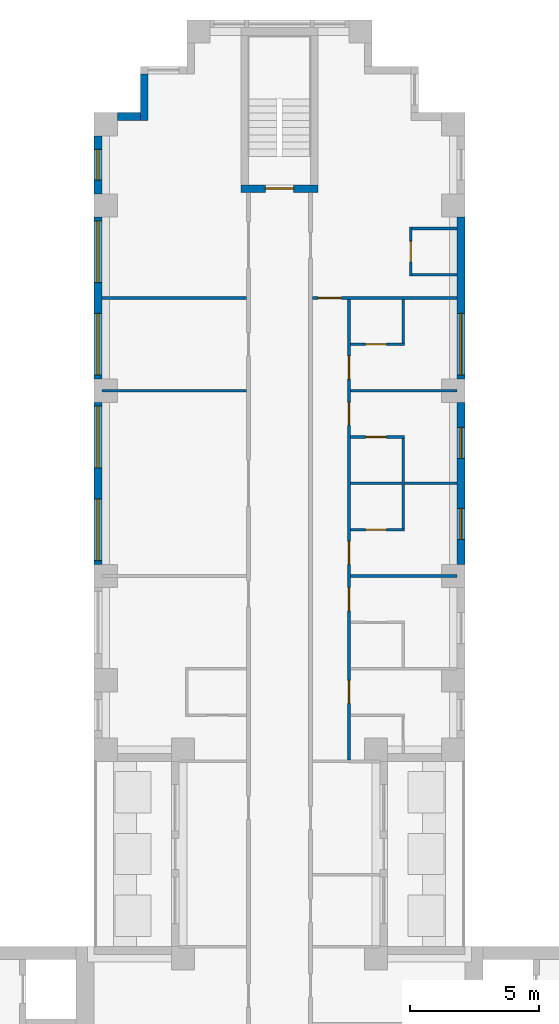
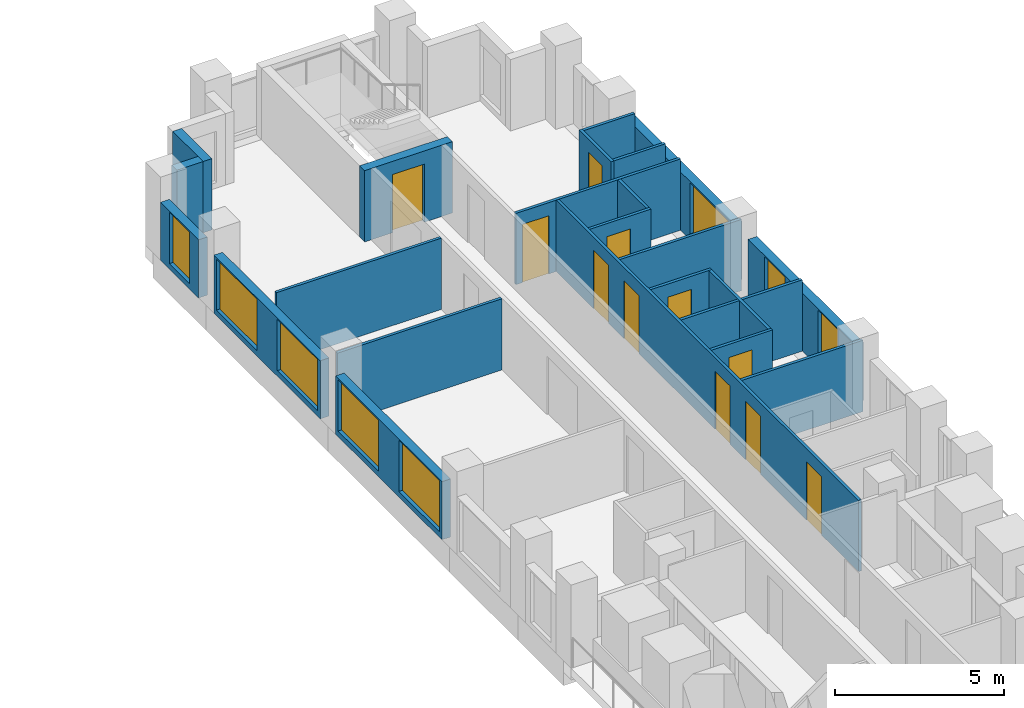
# One storey, part 11 of 15: 23 walls, 11 doors, 8 windows, 19 openings.
"""IFC4 building model written with IfcOpenShell, lengths in metres."""

from ifc_helpers import new_model, si_unit, direction, frame, frame_2d, origin, place, context, subcontext, project, spatial, rectangle, extrude, material, layer, layer_set, type_object, element, fill, save


model = new_model("IFC4")

# Units and contexts
model_context = context("Model", 3, precision=1e-05, world=origin(), true_north=direction((0.0, 1.0)))
body_context = subcontext(model_context, "Body", "Model", "MODEL_VIEW")
ifc_project = project(units=[si_unit("LENGTHUNIT", "METRE"), si_unit("AREAUNIT", "SQUARE_METRE"), si_unit("VOLUMEUNIT", "CUBIC_METRE"), si_unit("PLANEANGLEUNIT", "RADIAN"), si_unit("MASSUNIT", "GRAM", prefix="KILO")], contexts=[model_context])

# Site, building, storey
site_placement = place(None, origin())
site = spatial("IfcSite", under=ifc_project, at=site_placement, CompositionType="ELEMENT")
building_placement = place(site_placement, origin())
building = spatial("IfcBuilding", under=site, at=building_placement, Name="Fustian Cross Tower", CompositionType="ELEMENT")
storey_placement = place(building_placement, frame((0.0, 0.0, 38.699951171875)))
storey = spatial("IfcBuildingStorey", under=building, at=storey_placement, Name="L11", CompositionType="ELEMENT", Elevation=38.699951171875)

# Walls
ifc_material_1 = material(Name="Plasterboard on steel stud", Category="steel")
ifc_layer_1 = layer(ifc_material_1, 0.10009765625)
ifc_layer_set_1 = layer_set([ifc_layer_1], Name="Plasterboard on steel stud")
wall_type_1 = type_object("IfcWallType", Name="PARTITION 100 STUD", PredefinedType="PARTITIONING", material=ifc_layer_set_1)
for number, where, z_axis, x_axis, name in (
    (1, (-6.89990234375, 28.800048828125, 0.0), (0.0, 0.0, 1.0), (1.0, 0.0, 0.0), "Partition 20"),
    (2, (-6.89990234375, 32.39990234375, 0.0), (0.0, 0.0, 1.0), (1.0, 0.0, 0.0), "Partition 21"),
):
    element("IfcWall", number, at=place(storey_placement, frame(where, z_axis=z_axis, x_axis=x_axis)), inside=storey, type_object=wall_type_1, Name=name, PredefinedType="PARTITIONING", context=body_context, shape_type="SweptSolid", body=[
        extrude(rectangle(XDim=5.625, YDim=0.10009765625, at=frame_2d((2.8125, 0.0))), origin(), (0.0, 0.0, 1.0), 2.574951171875),
    ])

# Wall, opening, door
wall_1_placement = place(storey_placement, frame((1.27490234375, 32.39990234375, 0.0), z_axis=(0.0, 0.0, 1.0), x_axis=(1.0, 0.0, 0.0)))
wall_1 = element("IfcWall", 3, at=wall_1_placement, inside=storey, type_object=wall_type_1, Name="Partition 58", PredefinedType="PARTITIONING", context=body_context, shape_type="SweptSolid", body=[
    extrude(rectangle(XDim=5.625, YDim=0.10009765625, at=frame_2d((2.8125, 0.0))), origin(), (0.0, 0.0, 1.0), 2.574951171875),
])
opening_1_placement = place(wall_1_placement, frame((0.22509765625, 0.0, 0.0)))
opening_1 = element("IfcOpeningElement", 4, at=opening_1_placement, cuts=wall_1, Name="Opening D07030", PredefinedType="OPENING", context=body_context, shape_type="SweptSolid", body=[
    extrude(rectangle(XDim=0.89990234375, YDim=2.10009765625, at=frame_2d((0.449951171875, 1.050048828125))), frame((0.0, 0.06005859375, 0.0), z_axis=(0.0, -1.0, 0.0), x_axis=(1.0, 0.0, 0.0)), (0.0, 0.0, 1.0), 0.1201171875),
])
ifc_material_2 = material(Name="Painted timber", Category="wood")
door_type_1 = type_object("IfcDoorType", Name="SWING DOOR 900", OperationType="SINGLE_SWING_LEFT", PredefinedType="DOOR", material=ifc_material_2)
door_1_placement = place(opening_1_placement, frame((0.89990234375, 0.0, 0.0), z_axis=(0.0, 0.0, 1.0), x_axis=(-1.0, 0.0, 0.0)))
door_1 = element("IfcDoor", 5, at=door_1_placement, inside=storey, type_object=door_type_1, Name="Door D07030", OperationType="SINGLE_SWING_RIGHT", OverallHeight=2.10009765625, OverallWidth=0.89990234375, PredefinedType="DOOR", context=body_context, shape_type="SweptSolid", body=[
    extrude(rectangle(XDim=0.89990234375, YDim=2.10009765625, at=frame_2d((0.449951171875, 1.050048828125))), frame((0.0, 0.02490234375, 0.0), z_axis=(0.0, -1.0, 0.0), x_axis=(1.0, 0.0, 0.0)), (0.0, 0.0, 1.0), 0.050048828125),
])
fill(opening_1, door_1)

# Wall, openings, doors
wall_2_placement = place(storey_placement, frame((2.699951171875, 14.46240234375, 0.0), z_axis=(0.0, 0.0, 1.0), x_axis=(0.0, 1.0, 0.0)))
wall_2 = element("IfcWall", 6, at=wall_2_placement, inside=storey, type_object=wall_type_1, Name="Partition 59", PredefinedType="PARTITIONING", context=body_context, shape_type="SweptSolid", body=[
    extrude(rectangle(XDim=17.8876953125, YDim=0.10009765625, at=frame_2d((8.94384765625, 0.0))), origin(), (0.0, 0.0, 1.0), 2.574951171875),
])
opening_2_placement = place(wall_2_placement, frame((2.1875, 0.0, 0.0)))
opening_2 = element("IfcOpeningElement", 7, at=opening_2_placement, cuts=wall_2, Name="Opening D07031", PredefinedType="OPENING", context=body_context, shape_type="SweptSolid", body=[
    extrude(rectangle(XDim=0.89990234375, YDim=2.10009765625, at=frame_2d((0.449951171875, 1.050048828125))), frame((0.0, 0.06005859375, 0.0), z_axis=(0.0, -1.0, 0.0), x_axis=(1.0, 0.0, 0.0)), (0.0, 0.0, 1.0), 0.1201171875),
])
opening_3_placement = place(wall_2_placement, frame((5.78759765625, 0.0, 0.0)))
opening_3 = element("IfcOpeningElement", 8, at=opening_3_placement, cuts=wall_2, Name="Opening D07032", PredefinedType="OPENING", context=body_context, shape_type="SweptSolid", body=[
    extrude(rectangle(XDim=0.89990234375, YDim=2.10009765625, at=frame_2d((0.449951171875, 1.050048828125))), frame((0.0, 0.06005859375, 0.0), z_axis=(0.0, -1.0, 0.0), x_axis=(1.0, 0.0, 0.0)), (0.0, 0.0, 1.0), 0.1201171875),
])
opening_4_placement = place(wall_2_placement, frame((7.58740234375, 0.0, 0.0)))
opening_4 = element("IfcOpeningElement", 9, at=opening_4_placement, cuts=wall_2, Name="Opening D07033", PredefinedType="OPENING", context=body_context, shape_type="SweptSolid", body=[
    extrude(rectangle(XDim=0.89990234375, YDim=2.10009765625, at=frame_2d((0.449951171875, 1.050048828125))), frame((0.0, 0.06005859375, 0.0), z_axis=(0.0, -1.0, 0.0), x_axis=(1.0, 0.0, 0.0)), (0.0, 0.0, 1.0), 0.1201171875),
])
opening_5_placement = place(wall_2_placement, frame((12.987548828125, 0.0, 0.0)))
opening_5 = element("IfcOpeningElement", 10, at=opening_5_placement, cuts=wall_2, Name="Opening D07034", PredefinedType="OPENING", context=body_context, shape_type="SweptSolid", body=[
    extrude(rectangle(XDim=0.89990234375, YDim=2.10009765625, at=frame_2d((0.449951171875, 1.050048828125))), frame((0.0, 0.06005859375, 0.0), z_axis=(0.0, -1.0, 0.0), x_axis=(1.0, 0.0, 0.0)), (0.0, 0.0, 1.0), 0.1201171875),
])
opening_6_placement = place(wall_2_placement, frame((14.78759765625, 0.0, 0.0)))
opening_6 = element("IfcOpeningElement", 11, at=opening_6_placement, cuts=wall_2, Name="Opening D07035", PredefinedType="OPENING", context=body_context, shape_type="SweptSolid", body=[
    extrude(rectangle(XDim=0.89990234375, YDim=2.10009765625, at=frame_2d((0.449951171875, 1.050048828125))), frame((0.0, 0.06005859375, 0.0), z_axis=(0.0, -1.0, 0.0), x_axis=(1.0, 0.0, 0.0)), (0.0, 0.0, 1.0), 0.1201171875),
])
door_2_placement = place(opening_2_placement, frame((0.89990234375, 0.0, 0.0), z_axis=(0.0, 0.0, 1.0), x_axis=(-1.0, 0.0, 0.0)))
door_2 = element("IfcDoor", 12, at=door_2_placement, inside=storey, type_object=door_type_1, Name="Door D07031", OperationType="SINGLE_SWING_RIGHT", OverallHeight=2.10009765625, OverallWidth=0.89990234375, PredefinedType="DOOR", context=body_context, shape_type="SweptSolid", body=[
    extrude(rectangle(XDim=0.89990234375, YDim=2.10009765625, at=frame_2d((0.449951171875, 1.050048828125))), frame((0.0, 0.02490234375, 0.0), z_axis=(0.0, -1.0, 0.0), x_axis=(1.0, 0.0, 0.0)), (0.0, 0.0, 1.0), 0.050048828125),
])
fill(opening_2, door_2)
door_3_placement = place(opening_3_placement, frame((0.89990234375, 0.0, 0.0), z_axis=(0.0, 0.0, 1.0), x_axis=(-1.0, 0.0, 0.0)))
door_3 = element("IfcDoor", 13, at=door_3_placement, inside=storey, type_object=door_type_1, Name="Door D07032", OperationType="SINGLE_SWING_RIGHT", OverallHeight=2.10009765625, OverallWidth=0.89990234375, PredefinedType="DOOR", context=body_context, shape_type="SweptSolid", body=[
    extrude(rectangle(XDim=0.89990234375, YDim=2.10009765625, at=frame_2d((0.449951171875, 1.050048828125))), frame((0.0, 0.02490234375, 0.0), z_axis=(0.0, -1.0, 0.0), x_axis=(1.0, 0.0, 0.0)), (0.0, 0.0, 1.0), 0.050048828125),
])
fill(opening_3, door_3)
door_4_placement = place(opening_4_placement, frame((0.89990234375, 0.0, 0.0), z_axis=(0.0, 0.0, 1.0), x_axis=(-1.0, 0.0, 0.0)))
door_4 = element("IfcDoor", 14, at=door_4_placement, inside=storey, type_object=door_type_1, Name="Door D07033", OperationType="SINGLE_SWING_RIGHT", OverallHeight=2.10009765625, OverallWidth=0.89990234375, PredefinedType="DOOR", context=body_context, shape_type="SweptSolid", body=[
    extrude(rectangle(XDim=0.89990234375, YDim=2.10009765625, at=frame_2d((0.449951171875, 1.050048828125))), frame((0.0, 0.02490234375, 0.0), z_axis=(0.0, -1.0, 0.0), x_axis=(1.0, 0.0, 0.0)), (0.0, 0.0, 1.0), 0.050048828125),
])
fill(opening_4, door_4)
door_5_placement = place(opening_5_placement, frame((0.89990234375, 0.0, 0.0), z_axis=(0.0, 0.0, 1.0), x_axis=(-1.0, 0.0, 0.0)))
door_5 = element("IfcDoor", 15, at=door_5_placement, inside=storey, type_object=door_type_1, Name="Door D07034", OperationType="SINGLE_SWING_RIGHT", OverallHeight=2.10009765625, OverallWidth=0.89990234375, PredefinedType="DOOR", context=body_context, shape_type="SweptSolid", body=[
    extrude(rectangle(XDim=0.89990234375, YDim=2.10009765625, at=frame_2d((0.449951171875, 1.050048828125))), frame((0.0, 0.02490234375, 0.0), z_axis=(0.0, -1.0, 0.0), x_axis=(1.0, 0.0, 0.0)), (0.0, 0.0, 1.0), 0.050048828125),
])
fill(opening_5, door_5)
door_6_placement = place(opening_6_placement, frame((0.89990234375, 0.0, 0.0), z_axis=(0.0, 0.0, 1.0), x_axis=(-1.0, 0.0, 0.0)))
door_6 = element("IfcDoor", 16, at=door_6_placement, inside=storey, type_object=door_type_1, Name="Door D07035", OperationType="SINGLE_SWING_RIGHT", OverallHeight=2.10009765625, OverallWidth=0.89990234375, PredefinedType="DOOR", context=body_context, shape_type="SweptSolid", body=[
    extrude(rectangle(XDim=0.89990234375, YDim=2.10009765625, at=frame_2d((0.449951171875, 1.050048828125))), frame((0.0, 0.02490234375, 0.0), z_axis=(0.0, -1.0, 0.0), x_axis=(1.0, 0.0, 0.0)), (0.0, 0.0, 1.0), 0.050048828125),
])
fill(opening_6, door_6)

# Wall
wall_3_placement = place(storey_placement, frame((2.75, 21.60009765625, 0.0), z_axis=(0.0, 0.0, 1.0), x_axis=(1.0, 0.0, 0.0)))
element("IfcWall", 17, at=wall_3_placement, inside=storey, type_object=wall_type_1, Name="Partition 64", PredefinedType="PARTITIONING", context=body_context, shape_type="SweptSolid", body=[
    extrude(rectangle(XDim=4.14990234375, YDim=0.10009765625, at=frame_2d((2.074951171875, 0.0))), origin(), (0.0, 0.0, 1.0), 2.574951171875),
])

# Wall, opening, door
wall_4_placement = place(storey_placement, frame((2.75, 23.39990234375, 0.0), z_axis=(0.0, 0.0, 1.0), x_axis=(1.0, 0.0, 0.0)))
wall_4 = element("IfcWall", 18, at=wall_4_placement, inside=storey, type_object=wall_type_1, Name="Partition 65", PredefinedType="PARTITIONING", context=body_context, shape_type="SweptSolid", body=[
    extrude(rectangle(XDim=2.10009765625, YDim=0.10009765625, at=frame_2d((1.050048828125, 0.0))), origin(), (0.0, 0.0, 1.0), 2.574951171875),
])
opening_7_placement = place(wall_4_placement, frame((0.60009765625, 0.0, 0.0)))
opening_7 = element("IfcOpeningElement", 19, at=opening_7_placement, cuts=wall_4, Name="Opening D07038", PredefinedType="OPENING", context=body_context, shape_type="SweptSolid", body=[
    extrude(rectangle(XDim=0.800048828125, YDim=2.10009765625, at=frame_2d((0.39990234375, 1.050048828125))), frame((0.0, 0.06005859375, 0.0), z_axis=(0.0, -1.0, 0.0), x_axis=(1.0, 0.0, 0.0)), (0.0, 0.0, 1.0), 0.1201171875),
])
ifc_material_3 = material(Name="Painted timber", Category="wood")
door_type_2 = type_object("IfcDoorType", Name="SWING DOOR 800", OperationType="SINGLE_SWING_LEFT", PredefinedType="DOOR", material=ifc_material_3)
door_7_placement = place(opening_7_placement, origin())
door_7 = element("IfcDoor", 20, at=door_7_placement, inside=storey, type_object=door_type_2, Name="Door D07038", OperationType="SINGLE_SWING_LEFT", OverallHeight=2.10009765625, OverallWidth=0.800048828125, PredefinedType="DOOR", context=body_context, shape_type="SweptSolid", body=[
    extrude(rectangle(XDim=0.800048828125, YDim=2.10009765625, at=frame_2d((0.39990234375, 1.050048828125))), frame((0.0, 0.02490234375, 0.0), z_axis=(0.0, -1.0, 0.0), x_axis=(1.0, 0.0, 0.0)), (0.0, 0.0, 1.0), 0.050048828125),
])
fill(opening_7, door_7)

# Wall
wall_5_placement = place(storey_placement, frame((2.75, 25.199951171875, 0.0), z_axis=(0.0, 0.0, 1.0), x_axis=(1.0, 0.0, 0.0)))
element("IfcWall", 21, at=wall_5_placement, inside=storey, type_object=wall_type_1, Name="Partition 66", PredefinedType="PARTITIONING", context=body_context, shape_type="SweptSolid", body=[
    extrude(rectangle(XDim=4.14990234375, YDim=0.10009765625, at=frame_2d((2.074951171875, 0.0))), origin(), (0.0, 0.0, 1.0), 2.574951171875),
])

# Wall, opening, door
wall_6_placement = place(storey_placement, frame((2.75, 27.0, 0.0), z_axis=(0.0, 0.0, 1.0), x_axis=(1.0, 0.0, 0.0)))
wall_6 = element("IfcWall", 22, at=wall_6_placement, inside=storey, type_object=wall_type_1, Name="Partition 67", PredefinedType="PARTITIONING", context=body_context, shape_type="SweptSolid", body=[
    extrude(rectangle(XDim=2.10009765625, YDim=0.10009765625, at=frame_2d((1.050048828125, 0.0))), origin(), (0.0, 0.0, 1.0), 2.574951171875),
])
opening_8_placement = place(wall_6_placement, frame((0.60009765625, 0.0, 0.0)))
opening_8 = element("IfcOpeningElement", 23, at=opening_8_placement, cuts=wall_6, Name="Opening D07039", PredefinedType="OPENING", context=body_context, shape_type="SweptSolid", body=[
    extrude(rectangle(XDim=0.800048828125, YDim=2.10009765625, at=frame_2d((0.39990234375, 1.050048828125))), frame((0.0, 0.06005859375, 0.0), z_axis=(0.0, -1.0, 0.0), x_axis=(1.0, 0.0, 0.0)), (0.0, 0.0, 1.0), 0.1201171875),
])
door_8_placement = place(opening_8_placement, frame((0.800048828125, 0.0, 0.0), z_axis=(0.0, 0.0, 1.0), x_axis=(-1.0, 0.0, 0.0)))
door_8 = element("IfcDoor", 24, at=door_8_placement, inside=storey, type_object=door_type_2, Name="Door D07039", OperationType="SINGLE_SWING_RIGHT", OverallHeight=2.10009765625, OverallWidth=0.800048828125, PredefinedType="DOOR", context=body_context, shape_type="SweptSolid", body=[
    extrude(rectangle(XDim=0.800048828125, YDim=2.10009765625, at=frame_2d((0.39990234375, 1.050048828125))), frame((0.0, 0.02490234375, 0.0), z_axis=(0.0, -1.0, 0.0), x_axis=(1.0, 0.0, 0.0)), (0.0, 0.0, 1.0), 0.050048828125),
])
fill(opening_8, door_8)

# Wall
wall_7_placement = place(storey_placement, frame((2.75, 28.800048828125, 0.0), z_axis=(0.0, 0.0, 1.0), x_axis=(1.0, 0.0, 0.0)))
element("IfcWall", 25, at=wall_7_placement, inside=storey, type_object=wall_type_1, Name="Partition 68", PredefinedType="PARTITIONING", context=body_context, shape_type="SweptSolid", body=[
    extrude(rectangle(XDim=4.14990234375, YDim=0.10009765625, at=frame_2d((2.074951171875, 0.0))), origin(), (0.0, 0.0, 1.0), 2.574951171875),
])

# Wall, opening, door
wall_8_placement = place(storey_placement, frame((2.75, 30.60009765625, 0.0), z_axis=(0.0, 0.0, 1.0), x_axis=(1.0, 0.0, 0.0)))
wall_8 = element("IfcWall", 26, at=wall_8_placement, inside=storey, type_object=wall_type_1, Name="Partition 69", PredefinedType="PARTITIONING", context=body_context, shape_type="SweptSolid", body=[
    extrude(rectangle(XDim=2.10009765625, YDim=0.10009765625, at=frame_2d((1.050048828125, 0.0))), origin(), (0.0, 0.0, 1.0), 2.574951171875),
])
opening_9_placement = place(wall_8_placement, frame((0.60009765625, 0.0, 0.0)))
opening_9 = element("IfcOpeningElement", 27, at=opening_9_placement, cuts=wall_8, Name="Opening D07040", PredefinedType="OPENING", context=body_context, shape_type="SweptSolid", body=[
    extrude(rectangle(XDim=0.800048828125, YDim=2.10009765625, at=frame_2d((0.39990234375, 1.050048828125))), frame((0.0, 0.06005859375, 0.0), z_axis=(0.0, -1.0, 0.0), x_axis=(1.0, 0.0, 0.0)), (0.0, 0.0, 1.0), 0.1201171875),
])
door_9_placement = place(opening_9_placement, origin())
door_9 = element("IfcDoor", 28, at=door_9_placement, inside=storey, type_object=door_type_2, Name="Door D07040", OperationType="SINGLE_SWING_LEFT", OverallHeight=2.10009765625, OverallWidth=0.800048828125, PredefinedType="DOOR", context=body_context, shape_type="SweptSolid", body=[
    extrude(rectangle(XDim=0.800048828125, YDim=2.10009765625, at=frame_2d((0.39990234375, 1.050048828125))), frame((0.0, 0.02490234375, 0.0), z_axis=(0.0, -1.0, 0.0), x_axis=(1.0, 0.0, 0.0)), (0.0, 0.0, 1.0), 0.050048828125),
])
fill(opening_9, door_9)

# Walls
wall_9_placement = place(storey_placement, frame((4.800048828125, 23.449951171875, 0.0), z_axis=(0.0, 0.0, 1.0), x_axis=(0.0, 1.0, 0.0)))
element("IfcWall", 29, at=wall_9_placement, inside=storey, type_object=wall_type_1, Name="Partition 75", PredefinedType="PARTITIONING", context=body_context, shape_type="SweptSolid", body=[
    extrude(rectangle(XDim=3.5, YDim=0.10009765625, at=frame_2d((1.75, 0.0))), origin(), (0.0, 0.0, 1.0), 2.574951171875),
])
wall_10_placement = place(storey_placement, frame((4.800048828125, 30.64990234375, 0.0), z_axis=(0.0, 0.0, 1.0), x_axis=(0.0, 1.0, 0.0)))
element("IfcWall", 30, at=wall_10_placement, inside=storey, type_object=wall_type_1, Name="Partition 76", PredefinedType="PARTITIONING", context=body_context, shape_type="SweptSolid", body=[
    extrude(rectangle(XDim=1.7001953125, YDim=0.10009765625, at=frame_2d((0.85009765625, 0.0))), origin(), (0.0, 0.0, 1.0), 2.574951171875),
])

# Wall, opening, door
wall_11_placement = place(storey_placement, frame((5.10009765625, 33.25, 0.0), z_axis=(0.0, 0.0, 1.0), x_axis=(0.0, 1.0, 0.0)))
wall_11 = element("IfcWall", 31, at=wall_11_placement, inside=storey, type_object=wall_type_1, Name="Partition 77", PredefinedType="PARTITIONING", context=body_context, shape_type="SweptSolid", body=[
    extrude(rectangle(XDim=1.89990234375, YDim=0.10009765625, at=frame_2d((0.949951171875, 0.0))), origin(), (0.0, 0.0, 1.0), 2.574951171875),
])
opening_10_placement = place(wall_11_placement, frame((0.550048828125, 0.0, 0.0)))
opening_10 = element("IfcOpeningElement", 32, at=opening_10_placement, cuts=wall_11, Name="Opening D07028", PredefinedType="OPENING", context=body_context, shape_type="SweptSolid", body=[
    extrude(rectangle(XDim=0.800048828125, YDim=2.10009765625, at=frame_2d((0.39990234375, 1.050048828125))), frame((0.0, 0.06005859375, 0.0), z_axis=(0.0, -1.0, 0.0), x_axis=(1.0, 0.0, 0.0)), (0.0, 0.0, 1.0), 0.1201171875),
])
door_10_placement = place(opening_10_placement, frame((0.800048828125, 0.0, 0.0), z_axis=(0.0, 0.0, 1.0), x_axis=(-1.0, 0.0, 0.0)))
door_10 = element("IfcDoor", 33, at=door_10_placement, inside=storey, type_object=door_type_2, Name="Door D07028", OperationType="SINGLE_SWING_LEFT", OverallHeight=2.10009765625, OverallWidth=0.800048828125, PredefinedType="DOOR", context=body_context, shape_type="SweptSolid", body=[
    extrude(rectangle(XDim=0.800048828125, YDim=2.10009765625, at=frame_2d((0.39990234375, 1.050048828125))), frame((0.0, 0.02490234375, 0.0), z_axis=(0.0, -1.0, 0.0), x_axis=(1.0, 0.0, 0.0)), (0.0, 0.0, 1.0), 0.050048828125),
])
fill(opening_10, door_10)

# Walls
for number, where, z_axis, x_axis, name in (
    (34, (5.14990234375, 33.300048828125, 0.0), (0.0, 0.0, 1.0), (1.0, 0.0, 0.0), "Partition 78"),
    (35, (5.14990234375, 35.10009765625, 0.0), (0.0, 0.0, 1.0), (1.0, 0.0, 0.0), "Partition 79"),
):
    element("IfcWall", number, at=place(storey_placement, frame(where, z_axis=z_axis, x_axis=x_axis)), inside=storey, type_object=wall_type_1, Name=name, PredefinedType="PARTITIONING", context=body_context, shape_type="SweptSolid", body=[
        extrude(rectangle(XDim=1.75, YDim=0.10009765625, at=frame_2d((0.875, 0.0))), origin(), (0.0, 0.0, 1.0), 2.574951171875),
    ])

# Wall, opening, door
ifc_material_4 = material(Name="Concrete C50/60", Category="concrete")
ifc_layer_2 = layer(ifc_material_4, 0.300048828125)
ifc_layer_set_2 = layer_set([ifc_layer_2], Name="Concrete C50/60")
wall_type_2 = type_object("IfcWallType", Name="STAIR ENCLOSURE WALL 300 C50/60", PredefinedType="SHEAR", material=ifc_layer_set_2)
wall_12_placement = place(storey_placement, frame((-1.5, 36.64990234375, 0.0), z_axis=(0.0, 0.0, 1.0), x_axis=(1.0, 0.0, 0.0)))
wall_12 = element("IfcWall", 36, at=wall_12_placement, inside=storey, type_object=wall_type_2, Name="Stair enclosure wall", PredefinedType="SHEAR", context=body_context, shape_type="SweptSolid", body=[
    extrude(rectangle(XDim=3.0, YDim=0.300048828125, at=frame_2d((1.5, 0.0))), origin(), (0.0, 0.0, 1.0), 2.574951171875),
])
opening_11_placement = place(wall_12_placement, frame((0.949951171875, 0.0, 0.0)))
opening_11 = element("IfcOpeningElement", 37, at=opening_11_placement, cuts=wall_12, Name="Opening CD-04-29", PredefinedType="OPENING", context=body_context, shape_type="SweptSolid", body=[
    extrude(rectangle(XDim=1.10009765625, YDim=2.10009765625, at=frame_2d((0.550048828125, 1.050048828125))), frame((0.0, 0.159912109375, 0.0), z_axis=(0.0, -1.0, 0.0), x_axis=(1.0, 0.0, 0.0)), (0.0, 0.0, 1.0), 0.320068359375),
])
ifc_material_5 = material(Name="Steel", Category="steel")
door_type_3 = type_object("IfcDoorType", Name="FIRE DOOR FD60S 1100X2100", OperationType="SINGLE_SWING_LEFT", PredefinedType="DOOR", material=ifc_material_5)
door_11_placement = place(opening_11_placement, origin())
door_11 = element("IfcDoor", 38, at=door_11_placement, inside=storey, type_object=door_type_3, Name="Core door CD-04-29", OperationType="SINGLE_SWING_LEFT", OverallHeight=2.10009765625, OverallWidth=1.10009765625, PredefinedType="DOOR", context=body_context, shape_type="SweptSolid", body=[
    extrude(rectangle(XDim=1.10009765625, YDim=2.10009765625, at=frame_2d((0.550048828125, 1.050048828125))), frame((0.0, 0.02490234375, 0.0), z_axis=(0.0, -1.0, 0.0), x_axis=(1.0, 0.0, 0.0)), (0.0, 0.0, 1.0), 0.050048828125),
])
fill(opening_11, door_11)

# Wall, openings, windows
ifc_material_6 = material(Name="Dark aluminium cladding on insulated backing wall", Category="aluminium")
ifc_layer_3 = layer(ifc_material_6, 0.300048828125)
ifc_layer_set_3 = layer_set([ifc_layer_3], Name="Dark aluminium cladding on insulated backing wall")
wall_type_3 = type_object("IfcWallType", Name="XW1 EXTERNAL WALL 300", PredefinedType="SOLIDWALL", material=ifc_layer_set_3)
wall_13_placement = place(storey_placement, frame((7.050048828125, 22.050048828125, 0.0), z_axis=(0.0, 0.0, 1.0), x_axis=(0.0, 1.0, 0.0)))
wall_13 = element("IfcWall", 39, at=wall_13_placement, inside=storey, type_object=wall_type_3, Name="External wall", PredefinedType="SOLIDWALL", context=body_context, shape_type="SweptSolid", body=[
    extrude(rectangle(XDim=6.300048828125, YDim=0.300048828125, at=frame_2d((3.14990234375, 0.0))), origin(), (0.0, 0.0, 1.0), 2.10009765625),
])
opening_12_placement = place(wall_13_placement, frame((0.97509765625, 0.0, 0.199951171875)))
opening_12 = element("IfcOpeningElement", 40, at=opening_12_placement, cuts=wall_13, Name="Opening WN3", PredefinedType="OPENING", context=body_context, shape_type="SweptSolid", body=[
    extrude(rectangle(XDim=1.199951171875, YDim=1.85009765625, at=frame_2d((0.60009765625, 0.925048828125))), frame((0.0, 0.159912109375, 0.0), z_axis=(0.0, -1.0, 0.0), x_axis=(1.0, 0.0, 0.0)), (0.0, 0.0, 1.0), 0.320068359375),
])
opening_13_placement = place(wall_13_placement, frame((4.125, 0.0, 0.199951171875)))
opening_13 = element("IfcOpeningElement", 41, at=opening_13_placement, cuts=wall_13, Name="Opening WN3", PredefinedType="OPENING", context=body_context, shape_type="SweptSolid", body=[
    extrude(rectangle(XDim=1.199951171875, YDim=1.85009765625, at=frame_2d((0.60009765625, 0.925048828125))), frame((0.0, 0.159912109375, 0.0), z_axis=(0.0, -1.0, 0.0), x_axis=(1.0, 0.0, 0.0)), (0.0, 0.0, 1.0), 0.320068359375),
])
ifc_material_7 = material(Name="Dark anodised aluminium and double glazing", Category="aluminium")
window_type_1 = type_object("IfcWindowType", Name="WN3 WINDOW 1200X1850", PartitioningType="SINGLE_PANEL", PredefinedType="WINDOW", material=ifc_material_7)
window_1_placement = place(opening_12_placement, origin())
window_1 = element("IfcWindow", 42, at=window_1_placement, inside=storey, type_object=window_type_1, Name="Window", OverallHeight=1.85009765625, OverallWidth=1.199951171875, PartitioningType="SINGLE_PANEL", PredefinedType="WINDOW", context=body_context, shape_type="SweptSolid", body=[
    extrude(rectangle(XDim=1.199951171875, YDim=1.85009765625, at=frame_2d((0.60009765625, 0.925048828125))), frame((0.0, 0.030029296875, 0.0), z_axis=(0.0, -1.0, 0.0), x_axis=(1.0, 0.0, 0.0)), (0.0, 0.0, 1.0), 0.06005859375),
])
fill(opening_12, window_1)
window_2_placement = place(opening_13_placement, origin())
window_2 = element("IfcWindow", 43, at=window_2_placement, inside=storey, type_object=window_type_1, Name="Window", OverallHeight=1.85009765625, OverallWidth=1.199951171875, PartitioningType="SINGLE_PANEL", PredefinedType="WINDOW", context=body_context, shape_type="SweptSolid", body=[
    extrude(rectangle(XDim=1.199951171875, YDim=1.85009765625, at=frame_2d((0.60009765625, 0.925048828125))), frame((0.0, 0.030029296875, 0.0), z_axis=(0.0, -1.0, 0.0), x_axis=(1.0, 0.0, 0.0)), (0.0, 0.0, 1.0), 0.06005859375),
])
fill(opening_13, window_2)

# Wall, opening, window
wall_14_placement = place(storey_placement, frame((7.050048828125, 29.25, 0.0), z_axis=(0.0, 0.0, 1.0), x_axis=(0.0, 1.0, 0.0)))
wall_14 = element("IfcWall", 44, at=wall_14_placement, inside=storey, type_object=wall_type_3, Name="External wall", PredefinedType="SOLIDWALL", context=body_context, shape_type="SweptSolid", body=[
    extrude(rectangle(XDim=6.300048828125, YDim=0.300048828125, at=frame_2d((3.14990234375, 0.0))), origin(), (0.0, 0.0, 1.0), 2.10009765625),
])
opening_14_placement = place(wall_14_placement, frame((0.14990234375, 0.0, 0.199951171875)))
opening_14 = element("IfcOpeningElement", 45, at=opening_14_placement, cuts=wall_14, Name="Opening WN1", PredefinedType="OPENING", context=body_context, shape_type="SweptSolid", body=[
    extrude(rectangle(XDim=2.39990234375, YDim=1.85009765625, at=frame_2d((1.199951171875, 0.925048828125))), frame((0.0, 0.159912109375, 0.0), z_axis=(0.0, -1.0, 0.0), x_axis=(1.0, 0.0, 0.0)), (0.0, 0.0, 1.0), 0.320068359375),
])
ifc_material_8 = material(Name="Dark anodised aluminium and double glazing", Category="aluminium")
window_type_2 = type_object("IfcWindowType", Name="WN1 WINDOW 2400X1850", PartitioningType="SINGLE_PANEL", PredefinedType="WINDOW", material=ifc_material_8)
window_3_placement = place(opening_14_placement, origin())
window_3 = element("IfcWindow", 46, at=window_3_placement, inside=storey, type_object=window_type_2, Name="Window", OverallHeight=1.85009765625, OverallWidth=2.39990234375, PartitioningType="SINGLE_PANEL", PredefinedType="WINDOW", context=body_context, shape_type="SweptSolid", body=[
    extrude(rectangle(XDim=2.39990234375, YDim=1.85009765625, at=frame_2d((1.199951171875, 0.925048828125))), frame((0.0, 0.030029296875, 0.0), z_axis=(0.0, -1.0, 0.0), x_axis=(1.0, 0.0, 0.0)), (0.0, 0.0, 1.0), 0.06005859375),
])
fill(opening_14, window_3)

# Walls
wall_15_placement = place(storey_placement, frame((-5.25, 41.10009765625, 0.0), z_axis=(0.0, 0.0, 1.0), x_axis=(0.0, -1.0, 0.0)))
element("IfcWall", 47, at=wall_15_placement, inside=storey, type_object=wall_type_3, Name="External wall", PredefinedType="SOLIDWALL", context=body_context, shape_type="SweptSolid", body=[
    extrude(rectangle(XDim=1.800048828125, YDim=0.300048828125, at=frame_2d((0.89990234375, 0.0))), origin(), (0.0, 0.0, 1.0), 2.574951171875),
])
wall_16_placement = place(storey_placement, frame((-5.39990234375, 39.449951171875, 0.0), z_axis=(0.0, 0.0, 1.0), x_axis=(-1.0, 0.0, 0.0)))
element("IfcWall", 48, at=wall_16_placement, inside=storey, type_object=wall_type_3, Name="External wall", PredefinedType="SOLIDWALL", context=body_context, shape_type="SweptSolid", body=[
    extrude(rectangle(XDim=0.900146484375, YDim=0.300048828125, at=frame_2d((0.4501953125, 0.0))), origin(), (0.0, 0.0, 1.0), 2.574951171875),
])

# Wall, opening, window
wall_17_placement = place(storey_placement, frame((-7.050048828125, 38.699951171875, 0.0), z_axis=(0.0, 0.0, 1.0), x_axis=(0.0, -1.0, 0.0)))
wall_17 = element("IfcWall", 49, at=wall_17_placement, inside=storey, type_object=wall_type_3, Name="External wall", PredefinedType="SOLIDWALL", context=body_context, shape_type="SweptSolid", body=[
    extrude(rectangle(XDim=2.25, YDim=0.300048828125, at=frame_2d((1.125, 0.0))), origin(), (0.0, 0.0, 1.0), 2.10009765625),
])
opening_15_placement = place(wall_17_placement, frame((0.52490234375, 0.0, 0.199951171875)))
opening_15 = element("IfcOpeningElement", 50, at=opening_15_placement, cuts=wall_17, Name="Opening WN3", PredefinedType="OPENING", context=body_context, shape_type="SweptSolid", body=[
    extrude(rectangle(XDim=1.199951171875, YDim=1.85009765625, at=frame_2d((0.60009765625, 0.925048828125))), frame((0.0, 0.159912109375, 0.0), z_axis=(0.0, -1.0, 0.0), x_axis=(1.0, 0.0, 0.0)), (0.0, 0.0, 1.0), 0.320068359375),
])
window_4_placement = place(opening_15_placement, origin())
window_4 = element("IfcWindow", 51, at=window_4_placement, inside=storey, type_object=window_type_1, Name="Window", OverallHeight=1.85009765625, OverallWidth=1.199951171875, PartitioningType="SINGLE_PANEL", PredefinedType="WINDOW", context=body_context, shape_type="SweptSolid", body=[
    extrude(rectangle(XDim=1.199951171875, YDim=1.85009765625, at=frame_2d((0.60009765625, 0.925048828125))), frame((0.0, 0.030029296875, 0.0), z_axis=(0.0, -1.0, 0.0), x_axis=(1.0, 0.0, 0.0)), (0.0, 0.0, 1.0), 0.06005859375),
])
fill(opening_15, window_4)

# Wall, openings, windows
wall_18_placement = place(storey_placement, frame((-7.050048828125, 35.550048828125, 0.0), z_axis=(0.0, 0.0, 1.0), x_axis=(0.0, -1.0, 0.0)))
wall_18 = element("IfcWall", 52, at=wall_18_placement, inside=storey, type_object=wall_type_3, Name="External wall", PredefinedType="SOLIDWALL", context=body_context, shape_type="SweptSolid", body=[
    extrude(rectangle(XDim=6.300048828125, YDim=0.300048828125, at=frame_2d((3.14990234375, 0.0))), origin(), (0.0, 0.0, 1.0), 2.10009765625),
])
opening_16_placement = place(wall_18_placement, frame((0.14990234375, 0.0, 0.199951171875)))
opening_16 = element("IfcOpeningElement", 53, at=opening_16_placement, cuts=wall_18, Name="Opening WN1", PredefinedType="OPENING", context=body_context, shape_type="SweptSolid", body=[
    extrude(rectangle(XDim=2.39990234375, YDim=1.85009765625, at=frame_2d((1.199951171875, 0.925048828125))), frame((0.0, 0.159912109375, 0.0), z_axis=(0.0, -1.0, 0.0), x_axis=(1.0, 0.0, 0.0)), (0.0, 0.0, 1.0), 0.320068359375),
])
opening_17_placement = place(wall_18_placement, frame((3.75, 0.0, 0.199951171875)))
opening_17 = element("IfcOpeningElement", 54, at=opening_17_placement, cuts=wall_18, Name="Opening WN1", PredefinedType="OPENING", context=body_context, shape_type="SweptSolid", body=[
    extrude(rectangle(XDim=2.39990234375, YDim=1.85009765625, at=frame_2d((1.199951171875, 0.925048828125))), frame((0.0, 0.159912109375, 0.0), z_axis=(0.0, -1.0, 0.0), x_axis=(1.0, 0.0, 0.0)), (0.0, 0.0, 1.0), 0.320068359375),
])
window_5_placement = place(opening_16_placement, origin())
window_5 = element("IfcWindow", 55, at=window_5_placement, inside=storey, type_object=window_type_2, Name="Window", OverallHeight=1.85009765625, OverallWidth=2.39990234375, PartitioningType="SINGLE_PANEL", PredefinedType="WINDOW", context=body_context, shape_type="SweptSolid", body=[
    extrude(rectangle(XDim=2.39990234375, YDim=1.85009765625, at=frame_2d((1.199951171875, 0.925048828125))), frame((0.0, 0.030029296875, 0.0), z_axis=(0.0, -1.0, 0.0), x_axis=(1.0, 0.0, 0.0)), (0.0, 0.0, 1.0), 0.06005859375),
])
fill(opening_16, window_5)
window_6_placement = place(opening_17_placement, origin())
window_6 = element("IfcWindow", 56, at=window_6_placement, inside=storey, type_object=window_type_2, Name="Window", OverallHeight=1.85009765625, OverallWidth=2.39990234375, PartitioningType="SINGLE_PANEL", PredefinedType="WINDOW", context=body_context, shape_type="SweptSolid", body=[
    extrude(rectangle(XDim=2.39990234375, YDim=1.85009765625, at=frame_2d((1.199951171875, 0.925048828125))), frame((0.0, 0.030029296875, 0.0), z_axis=(0.0, -1.0, 0.0), x_axis=(1.0, 0.0, 0.0)), (0.0, 0.0, 1.0), 0.06005859375),
])
fill(opening_17, window_6)

wall_19_placement = place(storey_placement, frame((-7.050048828125, 28.35009765625, 0.0), z_axis=(0.0, 0.0, 1.0), x_axis=(0.0, -1.0, 0.0)))
wall_19 = element("IfcWall", 57, at=wall_19_placement, inside=storey, type_object=wall_type_3, Name="External wall", PredefinedType="SOLIDWALL", context=body_context, shape_type="SweptSolid", body=[
    extrude(rectangle(XDim=6.300048828125, YDim=0.300048828125, at=frame_2d((3.14990234375, 0.0))), origin(), (0.0, 0.0, 1.0), 2.10009765625),
])
opening_18_placement = place(wall_19_placement, frame((0.14990234375, 0.0, 0.199951171875)))
opening_18 = element("IfcOpeningElement", 58, at=opening_18_placement, cuts=wall_19, Name="Opening WN1", PredefinedType="OPENING", context=body_context, shape_type="SweptSolid", body=[
    extrude(rectangle(XDim=2.39990234375, YDim=1.85009765625, at=frame_2d((1.199951171875, 0.925048828125))), frame((0.0, 0.159912109375, 0.0), z_axis=(0.0, -1.0, 0.0), x_axis=(1.0, 0.0, 0.0)), (0.0, 0.0, 1.0), 0.320068359375),
])
opening_19_placement = place(wall_19_placement, frame((3.75, 0.0, 0.199951171875)))
opening_19 = element("IfcOpeningElement", 59, at=opening_19_placement, cuts=wall_19, Name="Opening WN1", PredefinedType="OPENING", context=body_context, shape_type="SweptSolid", body=[
    extrude(rectangle(XDim=2.39990234375, YDim=1.85009765625, at=frame_2d((1.199951171875, 0.925048828125))), frame((0.0, 0.159912109375, 0.0), z_axis=(0.0, -1.0, 0.0), x_axis=(1.0, 0.0, 0.0)), (0.0, 0.0, 1.0), 0.320068359375),
])
window_7_placement = place(opening_18_placement, origin())
window_7 = element("IfcWindow", 60, at=window_7_placement, inside=storey, type_object=window_type_2, Name="Window", OverallHeight=1.85009765625, OverallWidth=2.39990234375, PartitioningType="SINGLE_PANEL", PredefinedType="WINDOW", context=body_context, shape_type="SweptSolid", body=[
    extrude(rectangle(XDim=2.39990234375, YDim=1.85009765625, at=frame_2d((1.199951171875, 0.925048828125))), frame((0.0, 0.030029296875, 0.0), z_axis=(0.0, -1.0, 0.0), x_axis=(1.0, 0.0, 0.0)), (0.0, 0.0, 1.0), 0.06005859375),
])
fill(opening_18, window_7)
window_8_placement = place(opening_19_placement, origin())
window_8 = element("IfcWindow", 61, at=window_8_placement, inside=storey, type_object=window_type_2, Name="Window", OverallHeight=1.85009765625, OverallWidth=2.39990234375, PartitioningType="SINGLE_PANEL", PredefinedType="WINDOW", context=body_context, shape_type="SweptSolid", body=[
    extrude(rectangle(XDim=2.39990234375, YDim=1.85009765625, at=frame_2d((1.199951171875, 0.925048828125))), frame((0.0, 0.030029296875, 0.0), z_axis=(0.0, -1.0, 0.0), x_axis=(1.0, 0.0, 0.0)), (0.0, 0.0, 1.0), 0.06005859375),
])
fill(opening_19, window_8)

save(model, "model.ifc")
